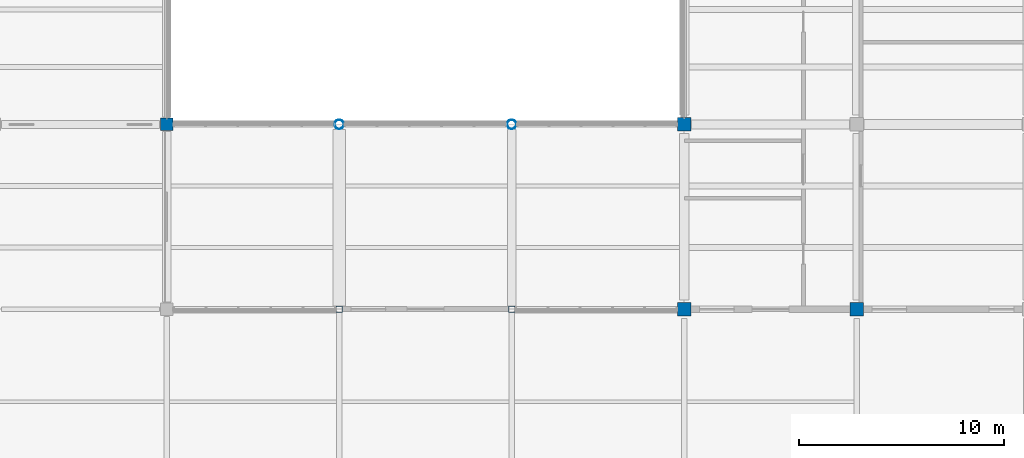
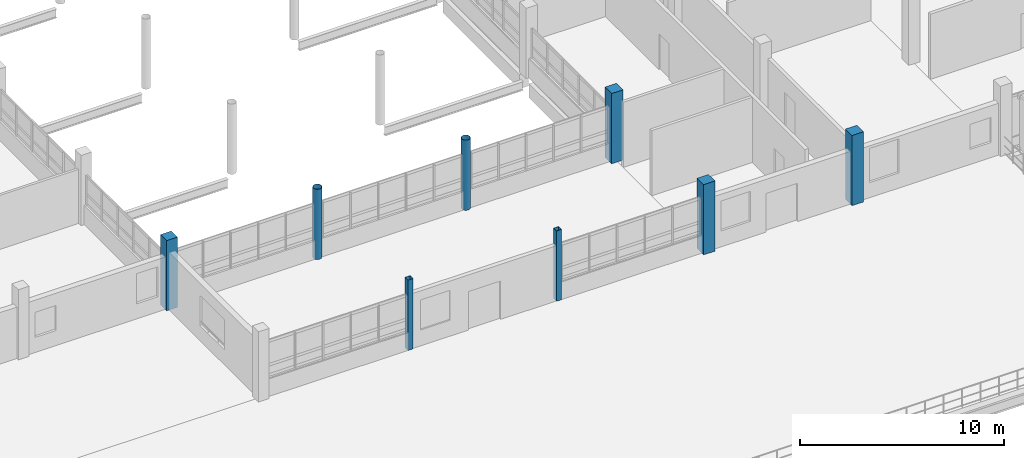
# One storey, part 2 of 101: 8 columns.
"""IFC4 building model written with IfcOpenShell, lengths in metres."""

from ifc_helpers import new_model, si_unit, direction, frame, origin, origin_2d, place, context, subcontext, project, spatial, rectangle, hollow_rectangle, hollow_circle, extrude, material, material_profile, profile_set, type_object, element, save


model = new_model("IFC4")

# Units and contexts
model_context = context("Model", 3, precision=1e-05, world=origin(), true_north=direction((0.0, 1.0)))
body_context = subcontext(model_context, "Body", "Model", "MODEL_VIEW")
ifc_project = project(units=[si_unit("LENGTHUNIT", "METRE"), si_unit("AREAUNIT", "SQUARE_METRE"), si_unit("VOLUMEUNIT", "CUBIC_METRE"), si_unit("PLANEANGLEUNIT", "RADIAN"), si_unit("MASSUNIT", "GRAM", prefix="KILO")], contexts=[model_context])

# Site, building, storey
site_placement = place(None, origin())
site = spatial("IfcSite", under=ifc_project, at=site_placement, CompositionType="ELEMENT")
building_placement = place(site_placement, origin())
building = spatial("IfcBuilding", under=site, at=building_placement, Name="Vireocrest Preparatory School", CompositionType="ELEMENT")
storey_placement = place(building_placement, frame((0.0, 0.0, 4.800048828125)))
storey = spatial("IfcBuildingStorey", under=building, at=storey_placement, Name="L01", CompositionType="ELEMENT", Elevation=4.800048828125)

# Columns
ifc_material_1 = material(Name="Concrete 45 MPa", Category="concrete")
ifc_material_profile_1 = material_profile(ifc_material_1, rectangle(XDim=0.60009765625, YDim=0.60009765625, at=origin_2d()), Name="RC 600x600")
ifc_profile_set_1 = profile_set([ifc_material_profile_1], Name="Concrete 45 MPa")
column_type_1 = type_object("IfcColumnType", Name="RC Column 600x600", PredefinedType="COLUMN", material=ifc_profile_set_1)
column_placement = place(storey_placement, frame((67.199951171875, 27.0, 0.0), z_axis=(0.0, 0.0, 1.0), x_axis=(1.0, 0.0, 0.0)))
element("IfcColumn", 1, at=column_placement, inside=storey, type_object=column_type_1, Name="Column C05 L01 9/D", PredefinedType="COLUMN", context=body_context, shape_type="SweptSolid", body=[
    extrude(rectangle(XDim=0.60009765625, YDim=0.60009765625, at=origin_2d()), origin(), (0.0, 0.0, 1.0), 4.199951171875),
])
ifc_material_profile_2 = material_profile(ifc_material_1, rectangle(XDim=0.64990234375, YDim=0.64990234375, at=origin_2d()), Name="RC 650x650")
ifc_profile_set_2 = profile_set([ifc_material_profile_2], Name="Concrete 45 MPa")
column_type_2 = type_object("IfcColumnType", Name="RC Column 650x650", PredefinedType="COLUMN", material=ifc_profile_set_2)
for number, where, z_axis, x_axis, name in (
    (2, (92.39990234375, 18.0, 0.0), (0.0, 0.0, 1.0), (1.0, 0.0, 0.0), "Column C06 L01 12/C"),
    (3, (92.39990234375, 27.0, 0.0), (0.0, 0.0, 1.0), (1.0, 0.0, 0.0), "Column C06 L01 12/D"),
    (4, (100.800048828125, 18.0, 0.0), (0.0, 0.0, 1.0), (1.0, 0.0, 0.0), "Column C06 L01 13/C"),
):
    element("IfcColumn", number, at=place(storey_placement, frame(where, z_axis=z_axis, x_axis=x_axis)), inside=storey, type_object=column_type_2, Name=name, PredefinedType="COLUMN", context=body_context, shape_type="SweptSolid", body=[
        extrude(rectangle(XDim=0.64990234375, YDim=0.64990234375, at=origin_2d()), origin(), (0.0, 0.0, 1.0), 4.199951171875),
    ])
ifc_material_2 = material(Name="Structural steel ASTM A500 Grade C", Category="steel")
ifc_material_profile_3 = material_profile(ifc_material_2, hollow_rectangle(XDim=0.3046875, YDim=0.3046875, WallThickness=0.01171875, InnerFilletRadius=0.01171875, OuterFilletRadius=0.023681640625, at=origin_2d()), Name="HSS12X12X1/2")
ifc_profile_set_3 = profile_set([ifc_material_profile_3], Name="Structural steel ASTM A500 Grade C")
column_type_3 = type_object("IfcColumnType", Name="Steel Link Column HSS12X12X1/2", PredefinedType="COLUMN", material=ifc_profile_set_3)
for number, where, z_axis, x_axis, name in (
    (5, (75.60009765625, 18.0, 0.0), (0.0, 0.0, 1.0), (1.0, 0.0, 0.0), "Column SC4 L01 10/C"),
    (6, (84.0, 18.0, 0.0), (0.0, 0.0, 1.0), (1.0, 0.0, 0.0), "Column SC4 L01 11/C"),
):
    element("IfcColumn", number, at=place(storey_placement, frame(where, z_axis=z_axis, x_axis=x_axis)), inside=storey, type_object=column_type_3, Name=name, PredefinedType="COLUMN", context=body_context, shape_type="SweptSolid", body=[
        extrude(hollow_rectangle(XDim=0.3046875, YDim=0.3046875, WallThickness=0.01171875, InnerFilletRadius=0.01171875, OuterFilletRadius=0.023681640625, at=origin_2d()), origin(), (0.0, 0.0, 1.0), 4.199951171875),
    ])
ifc_material_3 = material(Name="Painted white steel ASTM A500 Grade C", Category="steel")
ifc_material_profile_4 = material_profile(ifc_material_3, hollow_circle(Radius=0.228515625, WallThickness=0.0126953125, at=origin_2d()), Name="HSS18.000X0.500")
ifc_profile_set_4 = profile_set([ifc_material_profile_4], Name="Painted white steel ASTM A500 Grade C")
column_type_4 = type_object("IfcColumnType", Name="White Steel Court Trunk HSS18.000X0.500", PredefinedType="USERDEFINED", material=ifc_profile_set_4)
for number, where, z_axis, x_axis, name in (
    (7, (75.60009765625, 27.0, 0.0), (0.0, 0.0, 1.0), (1.0, 0.0, 0.0), "Court Canopy Trunk VC2 W1 L01"),
    (8, (84.0, 27.0, 0.0), (0.0, 0.0, 1.0), (1.0, 0.0, 0.0), "Court Canopy Trunk VC2 E1 L01"),
):
    element("IfcColumn", number, at=place(storey_placement, frame(where, z_axis=z_axis, x_axis=x_axis)), inside=storey, type_object=column_type_4, Name=name, ObjectType="PILOTI", PredefinedType="USERDEFINED", context=body_context, shape_type="SweptSolid", body=[
        extrude(hollow_circle(Radius=0.228515625, WallThickness=0.0126953125, at=origin_2d()), origin(), (0.0, 0.0, 1.0), 4.199951171875),
    ])

save(model, "model.ifc")
